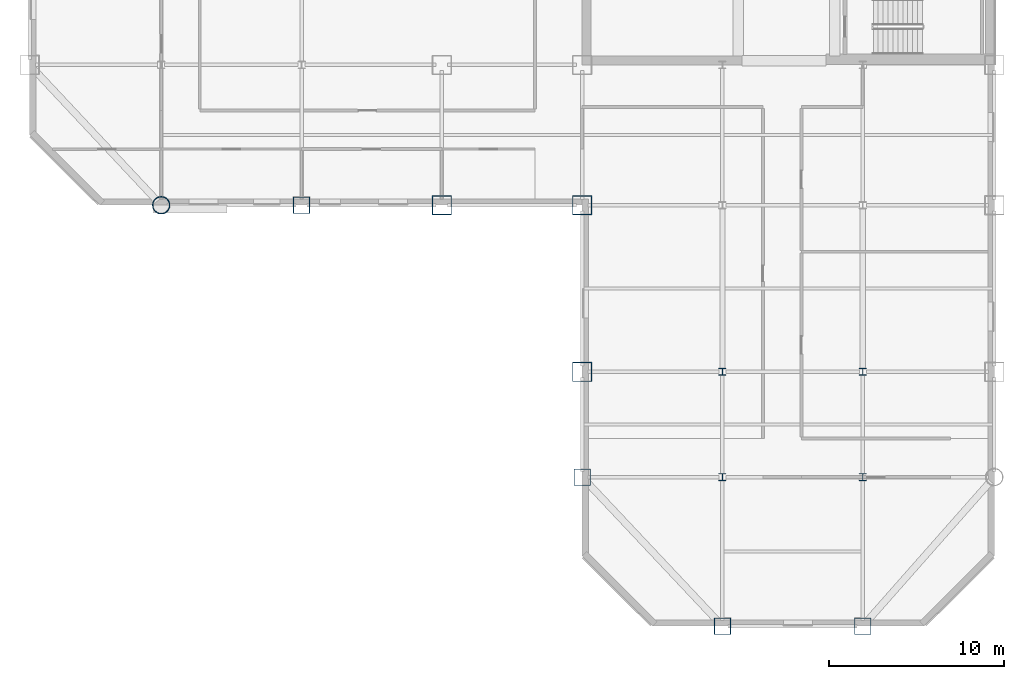
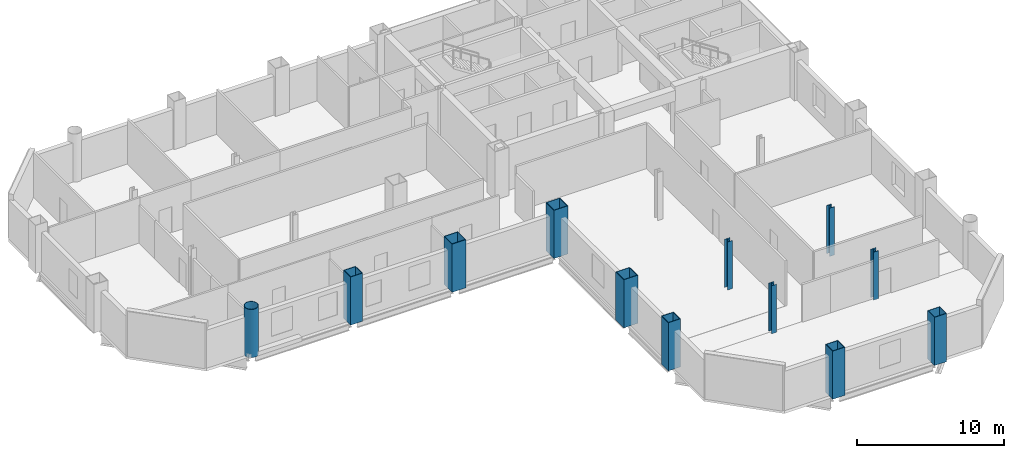
# One storey, part 1 of 10: 12 columns.
"""IFC4 building model written with IfcOpenShell, lengths in metres."""

from ifc_helpers import new_model, si_unit, direction, frame, origin, origin_2d, place, context, subcontext, project, spatial, hollow_rectangle, hollow_circle, i_section, extrude, material, material_profile, profile_set, type_object, element, save


model = new_model("IFC4")

# Units and contexts
model_context = context("Model", 3, precision=1e-05, world=origin(), true_north=direction((0.0, 1.0)))
body_context = subcontext(model_context, "Body", "Model", "MODEL_VIEW")
ifc_project = project(units=[si_unit("LENGTHUNIT", "METRE"), si_unit("AREAUNIT", "SQUARE_METRE"), si_unit("VOLUMEUNIT", "CUBIC_METRE"), si_unit("PLANEANGLEUNIT", "RADIAN"), si_unit("MASSUNIT", "GRAM", prefix="KILO")], contexts=[model_context])

# Site, building, storey
site_placement = place(None, origin())
site = spatial("IfcSite", under=ifc_project, at=site_placement, CompositionType="ELEMENT")
building_placement = place(site_placement, origin())
building = spatial("IfcBuilding", under=site, at=building_placement, Name="Qianrong Seaharbour Tower", CompositionType="ELEMENT")
storey_placement = place(building_placement, frame((0.0, 0.0, 167.0)))
storey = spatial("IfcBuildingStorey", under=building, at=storey_placement, Name="L40", CompositionType="ELEMENT", Elevation=167.0)

# Columns
ifc_material = material(Name="Structural steel SN490B", Category="steel")
ifc_material_profile_1 = material_profile(ifc_material, hollow_rectangle(XDim=1.10009765625, YDim=1.10009765625, WallThickness=0.0400390625, at=origin_2d()), Name="BOX1100x1100x40")
ifc_profile_set_1 = profile_set([ifc_material_profile_1], Name="Structural steel SN490B")
column_type_1 = type_object("IfcColumnType", Name="COL-CFT-1100", PredefinedType="COLUMN", material=ifc_profile_set_1)
for number, where, z_axis, x_axis, name in (
    (1, (32.5, 28.0, 0.0), (0.0, 0.0, 1.0), (1.0, 0.0, 0.0), "L40 Column MC-3 at G5/GE"),
    (2, (40.5, 18.5, 0.0), (0.0, 0.0, 1.0), (1.0, 0.0, 0.0), "L40 Column MC-3 at G6/GD"),
    (3, (40.5, 28.0, 0.0), (0.0, 0.0, 1.0), (1.0, 0.0, 0.0), "L40 Column MC-3 at G6/GE"),
):
    element("IfcColumn", number, at=place(storey_placement, frame(where, z_axis=z_axis, x_axis=x_axis)), inside=storey, type_object=column_type_1, Name=name, PredefinedType="COLUMN", context=body_context, shape_type="SweptSolid", body=[
        extrude(hollow_rectangle(XDim=1.10009765625, YDim=1.10009765625, WallThickness=0.0400390625, at=origin_2d()), origin(), (0.0, 0.0, 1.0), 4.0),
    ])
ifc_material_profile_2 = material_profile(ifc_material, hollow_circle(Radius=0.5, WallThickness=0.035888671875, at=origin_2d()), Name="CHS1000x36")
ifc_profile_set_2 = profile_set([ifc_material_profile_2], Name="Structural steel SN490B")
column_type_2 = type_object("IfcColumnType", Name="COL-CHS-1000", PredefinedType="COLUMN", material=ifc_profile_set_2)
column_placement = place(storey_placement, frame((16.5, 28.0, 0.0), z_axis=(0.0, 0.0, 1.0), x_axis=(1.0, 0.0, 0.0)))
element("IfcColumn", 4, at=column_placement, inside=storey, type_object=column_type_2, Name="L40 Column CC-2 at G3/GE", PredefinedType="COLUMN", context=body_context, shape_type="SweptSolid", body=[
    extrude(hollow_circle(Radius=0.5, WallThickness=0.035888671875, at=origin_2d()), origin(), (0.0, 0.0, 1.0), 4.0),
])
ifc_material_profile_3 = material_profile(ifc_material, i_section(OverallWidth=0.39990234375, OverallDepth=0.39990234375, WebThickness=0.012939453125, FlangeThickness=0.02099609375, FilletRadius=0.02197265625, at=origin_2d()), Name="H400x400x13x21")
ifc_profile_set_3 = profile_set([ifc_material_profile_3], Name="Structural steel SN490B")
column_type_3 = type_object("IfcColumnType", Name="COL-INT-H400", PredefinedType="COLUMN", material=ifc_profile_set_3)
for number, where, z_axis, x_axis, name in (
    (5, (48.5, 12.5, 0.0), (0.0, 0.0, 1.0), (1.0, 0.0, 0.0), "L40 Column IC-3 at G7/GC"),
    (6, (48.5, 18.5, 0.0), (0.0, 0.0, 1.0), (1.0, 0.0, 0.0), "L40 Column IC-3 at G7/GD"),
    (7, (56.5, 12.5, 0.0), (0.0, 0.0, 1.0), (1.0, 0.0, 0.0), "L40 Column IC-3 at G8/GC"),
    (8, (56.5, 18.5, 0.0), (0.0, 0.0, 1.0), (1.0, 0.0, 0.0), "L40 Column IC-3 at G8/GD"),
):
    element("IfcColumn", number, at=place(storey_placement, frame(where, z_axis=z_axis, x_axis=x_axis)), inside=storey, type_object=column_type_3, Name=name, PredefinedType="COLUMN", context=body_context, shape_type="SweptSolid", body=[
        extrude(i_section(OverallWidth=0.39990234375, OverallDepth=0.39990234375, WebThickness=0.012939453125, FlangeThickness=0.02099609375, FilletRadius=0.02197265625, at=origin_2d()), origin(), (0.0, 0.0, 1.0), 4.0),
    ])
ifc_material_profile_4 = material_profile(ifc_material, hollow_rectangle(XDim=0.949951171875, YDim=0.949951171875, WallThickness=0.035888671875, at=origin_2d()), Name="BOX950x950x36")
ifc_profile_set_4 = profile_set([ifc_material_profile_4], Name="Structural steel SN490B")
column_type_4 = type_object("IfcColumnType", Name="COL-PER-950", PredefinedType="COLUMN", material=ifc_profile_set_4)
for number, where, z_axis, x_axis, name in (
    (9, (24.5, 28.0, 0.0), (0.0, 0.0, 1.0), (1.0, 0.0, 0.0), "L40 Column PC-2 at G4/GE"),
    (10, (40.5, 12.5, 0.0), (0.0, 0.0, 1.0), (1.0, 0.0, 0.0), "L40 Column PC-2 at G6/GC"),
    (11, (48.5, 4.0, 0.0), (0.0, 0.0, 1.0), (1.0, 0.0, 0.0), "L40 Column PC-2 at G7/GB"),
    (12, (56.5, 4.0, 0.0), (0.0, 0.0, 1.0), (1.0, 0.0, 0.0), "L40 Column PC-2 at G8/GB"),
):
    element("IfcColumn", number, at=place(storey_placement, frame(where, z_axis=z_axis, x_axis=x_axis)), inside=storey, type_object=column_type_4, Name=name, PredefinedType="COLUMN", context=body_context, shape_type="SweptSolid", body=[
        extrude(hollow_rectangle(XDim=0.949951171875, YDim=0.949951171875, WallThickness=0.035888671875, at=origin_2d()), origin(), (0.0, 0.0, 1.0), 4.0),
    ])

save(model, "model.ifc")
